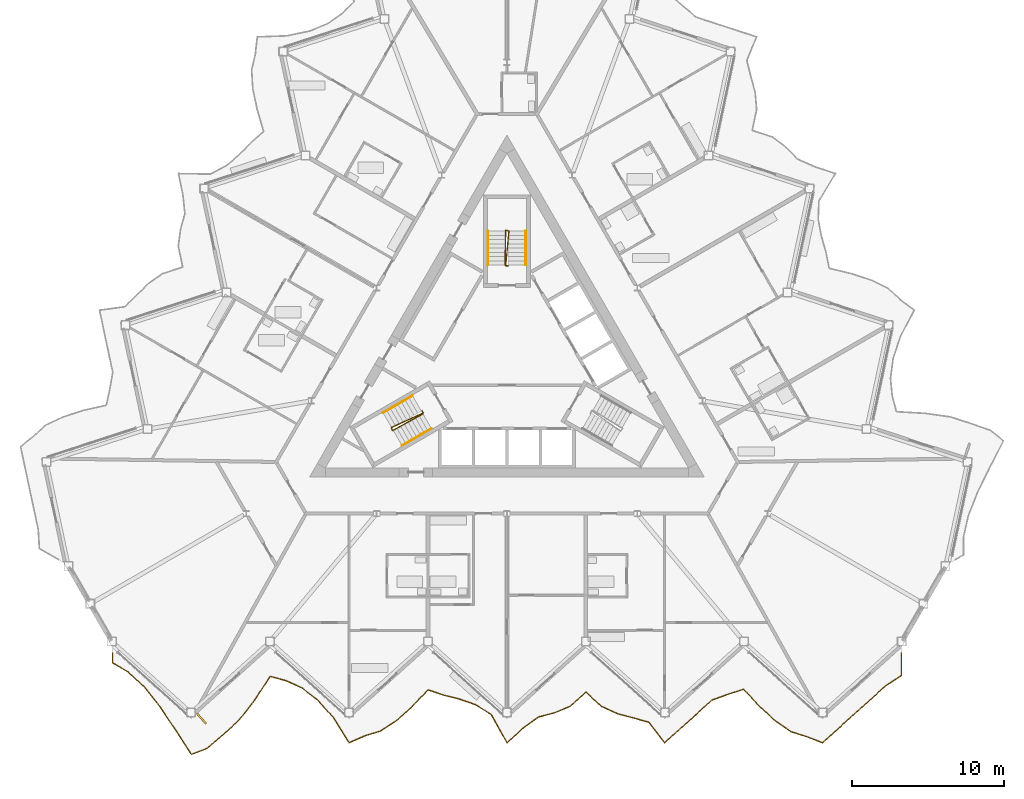
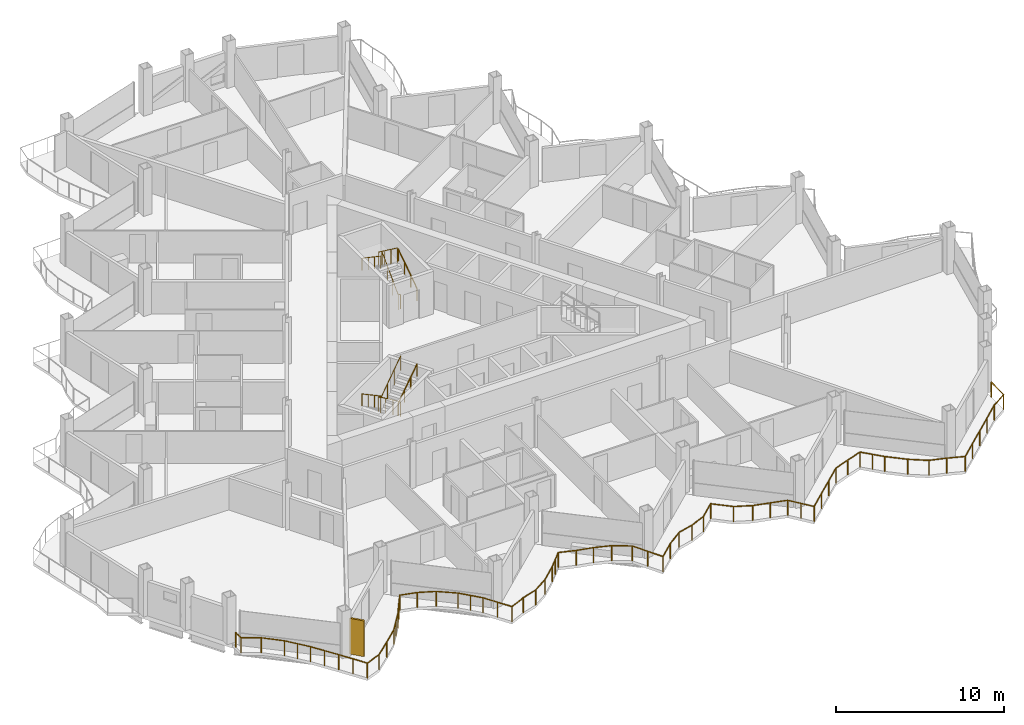
# One storey, part 22 of 26: 7 railings, 1 shading device.
"""IFC4 building model written with IfcOpenShell, lengths in metres."""

from ifc_helpers import new_model, si_unit, direction, frame, origin, origin_2d, place, context, subcontext, project, spatial, rectangle, circle, extrude, material, layer, layer_set, type_object, element, save


model = new_model("IFC4")

# Units and contexts
model_context = context("Model", 3, precision=1e-05, world=origin(), true_north=direction((0.0, 1.0)))
body_context = subcontext(model_context, "Body", "Model", "MODEL_VIEW")
ifc_project = project(units=[si_unit("LENGTHUNIT", "METRE"), si_unit("AREAUNIT", "SQUARE_METRE"), si_unit("VOLUMEUNIT", "CUBIC_METRE"), si_unit("PLANEANGLEUNIT", "RADIAN"), si_unit("MASSUNIT", "GRAM", prefix="KILO")], contexts=[model_context])

# Site, building, storey
site_placement = place(None, origin())
site = spatial("IfcSite", under=ifc_project, at=site_placement, CompositionType="ELEMENT")
building_placement = place(site_placement, origin())
building = spatial("IfcBuilding", under=site, at=building_placement, Name="Cormorant Prow Tower", CompositionType="ELEMENT")
storey_placement = place(building_placement, frame((0.0, 0.0, 325.60009765625)))
storey = spatial("IfcBuildingStorey", under=building, at=storey_placement, Name="L72", CompositionType="ELEMENT", Elevation=325.60009765625)

# Railings
ifc_material_1 = material(Name="Aluminium 6063-T6", Category="aluminium")
railing_type_1 = type_object("IfcRailingType", Name="Balcony guard 1100", PredefinedType="GUARDRAIL", material=ifc_material_1)
railing_1_placement = place(storey_placement, frame((-25.973388671875, -19.09814453125, 0.0)))
element("IfcRailing", 1, at=railing_1_placement, inside=storey, type_object=railing_type_1, Name="Balcony guard S", PredefinedType="GUARDRAIL", context=body_context, shape_type="SweptSolid", body=[
    extrude(circle(Radius=0.02392578125, at=origin_2d()), frame((0.0, 0.0, 1.076171875), z_axis=(0.0, -1.0, 0.0), x_axis=(1.0, 0.0, 0.0)), (0.0, 0.0, 1.0), 0.635986328125),
    extrude(circle(Radius=0.02392578125, at=origin_2d()), frame((0.0, -0.635986328125, 1.076171875), z_axis=(0.864404526024, -0.502796992223, 0.0), x_axis=(0.502796992223, 0.864404526024, 0.0)), (0.0, 0.0, 1.0), 1.20166015625),
    extrude(circle(Radius=0.02392578125, at=origin_2d()), frame((1.038818359375, -1.240234375, 1.076171875), z_axis=(0.734082243463, -0.679060571549, 0.0), x_axis=(0.679060571549, 0.734082243463, 0.0)), (0.0, 0.0, 1.0), 1.41552734375),
    extrude(circle(Radius=0.02392578125, at=origin_2d()), frame((2.077880859375, -2.201416015625, 1.076171875), z_axis=(0.621039347423, -0.783779387935, 0.0), x_axis=(0.783779387935, 0.621039347423, 0.0)), (0.0, 0.0, 1.0), 1.672607421875),
    extrude(circle(Radius=0.02392578125, at=origin_2d()), frame((3.11669921875, -3.512451171875, 1.076171875), z_axis=(0.55672153473, -0.830699183079, 0.0), x_axis=(0.830699183079, 0.55672153473, 0.0)), (0.0, 0.0, 1.0), 1.865966796875),
    extrude(circle(Radius=0.02392578125, at=origin_2d()), frame((4.155517578125, -5.0625, 1.076171875), z_axis=(0.542579782654, -0.840004273474, 0.0), x_axis=(0.840004273474, 0.542579782654, 0.0)), (0.0, 0.0, 1.0), 1.9150390625),
    extrude(circle(Radius=0.02392578125, at=origin_2d()), frame((5.194580078125, -6.671142578125, 1.076171875), z_axis=(0.932796459429, 0.360403614407, 0.0), x_axis=(-0.360403614407, 0.932796459429, 0.0)), (0.0, 0.0, 1.0), 1.11376953125),
    extrude(circle(Radius=0.02392578125, at=origin_2d()), frame((6.2333984375, -6.269775390625, 1.076171875), z_axis=(0.758287360731, 0.651920454162, 0.0), x_axis=(-0.651920454162, 0.758287360731, 0.0)), (0.0, 0.0, 1.0), 1.370361328125),
    extrude(circle(Radius=0.02392578125, at=origin_2d()), frame((7.2724609375, -5.37646484375, 1.076171875), z_axis=(0.743077017914, 0.669205906615, 0.0), x_axis=(-0.669205906615, 0.743077017914, 0.0)), (0.0, 0.0, 1.0), 1.39794921875),
    extrude(circle(Radius=0.02392578125, at=origin_2d()), frame((8.311279296875, -4.44091796875, 1.076171875), z_axis=(0.617097688735, 0.786886549992, 0.0), x_axis=(-0.786886549992, 0.617097688735, 0.0)), (0.0, 0.0, 1.0), 1.683837890625),
    extrude(circle(Radius=0.02392578125, at=origin_2d()), frame((9.350341796875, -3.115966796875, 1.076171875), z_axis=(0.547908224323, 0.836538449636, 0.0), x_axis=(-0.836538449636, 0.547908224323, 0.0)), (0.0, 0.0, 1.0), 1.896484375),
    extrude(circle(Radius=0.02392578125, at=origin_2d()), frame((10.389404296875, -1.529541015625, 1.076171875), z_axis=(0.96507717887, -0.261965720704, 0.0), x_axis=(0.261965720704, 0.96507717887, 0.0)), (0.0, 0.0, 1.0), 1.076416015625),
    extrude(circle(Radius=0.02392578125, at=origin_2d()), frame((11.42822265625, -1.8115234375, 1.076171875), z_axis=(0.910813015189, -0.412819150916, 0.0), x_axis=(0.412819150916, 0.910813015189, 0.0)), (0.0, 0.0, 1.0), 1.140869140625),
    extrude(circle(Radius=0.02392578125, at=origin_2d()), frame((12.46728515625, -2.282470703125, 1.076171875), z_axis=(0.793441260046, -0.608646832618, 0.0), x_axis=(0.608646832618, 0.793441260046, 0.0)), (0.0, 0.0, 1.0), 1.309326171875),
    extrude(circle(Radius=0.02392578125, at=origin_2d()), frame((13.506103515625, -3.079345703125, 1.076171875), z_axis=(0.666062428966, -0.745895998595, 0.0), x_axis=(0.745895998595, 0.666062428966, 0.0)), (0.0, 0.0, 1.0), 1.5595703125),
    extrude(circle(Radius=0.02392578125, at=origin_2d()), frame((14.544921875, -4.24267578125, 1.076171875), z_axis=(0.531772300644, -0.846887371655, 0.0), x_axis=(0.846887371655, 0.531772300644, 0.0)), (0.0, 0.0, 1.0), 1.953857421875),
    extrude(circle(Radius=0.02392578125, at=origin_2d()), frame((15.583984375, -5.8974609375, 1.076171875), z_axis=(0.915885416376, 0.401439788847, 0.0), x_axis=(-0.401439788847, 0.915885416376, 0.0)), (0.0, 0.0, 1.0), 1.13427734375),
    extrude(circle(Radius=0.02392578125, at=origin_2d()), frame((16.622802734375, -5.442138671875, 1.076171875), z_axis=(0.956630315258, 0.29130472006, 0.0), x_axis=(-0.29130472006, 0.956630315258, 0.0)), (0.0, 0.0, 1.0), 1.086181640625),
    extrude(circle(Radius=0.02392578125, at=origin_2d()), frame((17.661865234375, -5.125732421875, 1.076171875), z_axis=(0.834906973795, 0.550391083783, 0.0), x_axis=(-0.550391083783, 0.834906973795, 0.0)), (0.0, 0.0, 1.0), 1.244140625),
    extrude(circle(Radius=0.02392578125, at=origin_2d()), frame((18.70068359375, -4.44091796875, 1.076171875), z_axis=(0.743155211164, 0.669119071706, 0.0), x_axis=(-0.669119071706, 0.743155211164, 0.0)), (0.0, 0.0, 1.0), 1.398193359375),
    extrude(circle(Radius=0.02392578125, at=origin_2d()), frame((19.73974609375, -3.50537109375, 1.076171875), z_axis=(0.690691864093, 0.723149188533, 0.0), x_axis=(-0.723149188533, 0.690691864093, 0.0)), (0.0, 0.0, 1.0), 1.50439453125),
    extrude(circle(Radius=0.02392578125, at=origin_2d()), frame((20.77880859375, -2.41748046875, 1.076171875), z_axis=(0.947833420532, -0.318766069279, 0.0), x_axis=(0.318766069279, 0.947833420532, 0.0)), (0.0, 0.0, 1.0), 1.095947265625),
    extrude(circle(Radius=0.02392578125, at=origin_2d()), frame((21.817626953125, -2.766845703125, 1.076171875), z_axis=(0.970516923933, -0.241032986042, 0.0), x_axis=(0.241032986042, 0.970516923933, 0.0)), (0.0, 0.0, 1.0), 1.070556640625),
    extrude(circle(Radius=0.02392578125, at=origin_2d()), frame((22.856689453125, -3.02490234375, 1.076171875), z_axis=(0.94332138827, -0.331880638834, 0.0), x_axis=(0.331880638834, 0.94332138827, 0.0)), (0.0, 0.0, 1.0), 1.101318359375),
    extrude(circle(Radius=0.02392578125, at=origin_2d()), frame((23.8955078125, -3.390380859375, 1.076171875), z_axis=(0.851218522717, -0.524811420021, 0.0), x_axis=(0.524811420021, 0.851218522717, 0.0)), (0.0, 0.0, 1.0), 1.220703125),
    extrude(circle(Radius=0.02392578125, at=origin_2d()), frame((24.9345703125, -4.031005859375, 1.076171875), z_axis=(0.486322080627, -0.873779625475, 0.0), x_axis=(0.873779625475, 0.486322080627, 0.0)), (0.0, 0.0, 1.0), 2.135986328125),
    extrude(circle(Radius=0.02392578125, at=origin_2d()), frame((25.973388671875, -5.8974609375, 1.076171875), z_axis=(0.743077017914, 0.669205906615, 0.0), x_axis=(-0.669205906615, 0.743077017914, 0.0)), (0.0, 0.0, 1.0), 1.39794921875),
    extrude(circle(Radius=0.02392578125, at=origin_2d()), frame((27.01220703125, -4.9619140625, 1.076171875), z_axis=(0.807314654695, 0.590121214933, 0.0), x_axis=(-0.590121214933, 0.807314654695, 0.0)), (0.0, 0.0, 1.0), 1.287109375),
    extrude(circle(Radius=0.02392578125, at=origin_2d()), frame((28.05126953125, -4.202392578125, 1.076171875), z_axis=(0.968225799112, 0.250077591827, 0.0), x_axis=(-0.250077591827, 0.968225799112, 0.0)), (0.0, 0.0, 1.0), 1.072998046875),
    extrude(circle(Radius=0.02392578125, at=origin_2d()), frame((29.090087890625, -3.93408203125, 1.076171875), z_axis=(0.924407971279, 0.381405168601, 0.0), x_axis=(-0.381405168601, 0.924407971279, 0.0)), (0.0, 0.0, 1.0), 1.1240234375),
    extrude(circle(Radius=0.02392578125, at=origin_2d()), frame((30.129150390625, -3.50537109375, 1.076171875), z_axis=(0.743163863414, 0.669109461983, 0.0), x_axis=(-0.669109461983, 0.743163863414, 0.0)), (0.0, 0.0, 1.0), 1.39794921875),
    extrude(circle(Radius=0.02392578125, at=origin_2d()), frame((31.16796875, -2.570068359375, 1.076171875), z_axis=(0.74324204326, -0.669022619297, 0.0), x_axis=(0.669022619297, 0.74324204326, 0.0)), (0.0, 0.0, 1.0), 1.39794921875),
    extrude(circle(Radius=0.02392578125, at=origin_2d()), frame((32.20703125, -3.50537109375, 1.076171875), z_axis=(0.907659539898, -0.419707230855, 0.0), x_axis=(0.419707230855, 0.907659539898, 0.0)), (0.0, 0.0, 1.0), 1.144775390625),
    extrude(circle(Radius=0.02392578125, at=origin_2d()), frame((33.24609375, -3.98583984375, 1.076171875), z_axis=(0.966835704912, -0.255399138031, 0.0), x_axis=(0.255399138031, 0.966835704912, 0.0)), (0.0, 0.0, 1.0), 1.074462890625),
    extrude(circle(Radius=0.02392578125, at=origin_2d()), frame((34.284912109375, -4.26025390625, 1.076171875), z_axis=(0.962296538374, -0.272002522477, 0.0), x_axis=(0.272002522477, 0.962296538374, 0.0)), (0.0, 0.0, 1.0), 1.079833984375),
    extrude(circle(Radius=0.02392578125, at=origin_2d()), frame((35.323974609375, -4.553955078125, 1.076171875), z_axis=(0.611688866478, -0.791098432957, 0.0), x_axis=(0.791098432957, 0.611688866478, 0.0)), (0.0, 0.0, 1.0), 1.6982421875),
    extrude(circle(Radius=0.02392578125, at=origin_2d()), frame((36.36279296875, -5.8974609375, 1.076171875), z_axis=(0.743155211164, 0.669119071706, 0.0), x_axis=(-0.669119071706, 0.743155211164, 0.0)), (0.0, 0.0, 1.0), 1.398193359375),
    extrude(circle(Radius=0.02392578125, at=origin_2d()), frame((37.40185546875, -4.9619140625, 1.076171875), z_axis=(0.743077017914, 0.669205906615, 0.0), x_axis=(-0.669205906615, 0.743077017914, 0.0)), (0.0, 0.0, 1.0), 1.39794921875),
    extrude(circle(Radius=0.02392578125, at=origin_2d()), frame((38.440673828125, -4.0263671875, 1.076171875), z_axis=(0.743163863414, 0.669109461983, 0.0), x_axis=(-0.669109461983, 0.743163863414, 0.0)), (0.0, 0.0, 1.0), 1.39794921875),
    extrude(circle(Radius=0.02392578125, at=origin_2d()), frame((39.4794921875, -3.091064453125, 1.076171875), z_axis=(0.938985609291, 0.343956429719, 0.0), x_axis=(-0.343956429719, 0.938985609291, 0.0)), (0.0, 0.0, 1.0), 1.106689453125),
    extrude(circle(Radius=0.02392578125, at=origin_2d()), frame((40.5185546875, -2.71044921875, 1.076171875), z_axis=(0.951942396595, 0.306277118905, 0.0), x_axis=(-0.306277118905, 0.951942396595, 0.0)), (0.0, 0.0, 1.0), 1.09130859375),
    extrude(circle(Radius=0.02392578125, at=origin_2d()), frame((41.557373046875, -2.376220703125, 1.076171875), z_axis=(0.677142695524, -0.735851730921, 0.0), x_axis=(0.735851730921, 0.677142695524, 0.0)), (0.0, 0.0, 1.0), 1.534423828125),
    extrude(circle(Radius=0.02392578125, at=origin_2d()), frame((42.596435546875, -3.50537109375, 1.076171875), z_axis=(0.743155211164, -0.669119071706, 0.0), x_axis=(0.669119071706, 0.743155211164, 0.0)), (0.0, 0.0, 1.0), 1.398193359375),
    extrude(circle(Radius=0.02392578125, at=origin_2d()), frame((43.635498046875, -4.44091796875, 1.076171875), z_axis=(0.818734427702, -0.574172393011, 0.0), x_axis=(0.574172393011, 0.818734427702, 0.0)), (0.0, 0.0, 1.0), 1.268798828125),
    extrude(circle(Radius=0.02392578125, at=origin_2d()), frame((44.67431640625, -5.16943359375, 1.076171875), z_axis=(0.95313144312, -0.302556527175, 0.0), x_axis=(0.302556527175, 0.95313144312, 0.0)), (0.0, 0.0, 1.0), 1.090087890625),
    extrude(circle(Radius=0.02392578125, at=origin_2d()), frame((45.71337890625, -5.499267578125, 1.076171875), z_axis=(0.93375222919, -0.35792006717, 0.0), x_axis=(0.35792006717, 0.93375222919, 0.0)), (0.0, 0.0, 1.0), 1.112548828125),
    extrude(circle(Radius=0.02392578125, at=origin_2d()), frame((46.752197265625, -5.8974609375, 1.076171875), z_axis=(0.743155211164, 0.669119071706, 0.0), x_axis=(-0.669119071706, 0.743155211164, 0.0)), (0.0, 0.0, 1.0), 1.398193359375),
    extrude(circle(Radius=0.02392578125, at=origin_2d()), frame((47.791259765625, -4.9619140625, 1.076171875), z_axis=(0.743077017914, 0.669205906615, 0.0), x_axis=(-0.669205906615, 0.743077017914, 0.0)), (0.0, 0.0, 1.0), 1.39794921875),
    extrude(circle(Radius=0.02392578125, at=origin_2d()), frame((48.830078125, -4.0263671875, 1.076171875), z_axis=(0.743163863414, 0.669109461983, 0.0), x_axis=(-0.669109461983, 0.743163863414, 0.0)), (0.0, 0.0, 1.0), 1.39794921875),
    extrude(circle(Radius=0.02392578125, at=origin_2d()), frame((49.868896484375, -3.091064453125, 1.076171875), z_axis=(0.743155211164, 0.669119071706, 0.0), x_axis=(-0.669119071706, 0.743155211164, 0.0)), (0.0, 0.0, 1.0), 1.398193359375),
    extrude(circle(Radius=0.02392578125, at=origin_2d()), frame((50.907958984375, -2.155517578125, 1.076171875), z_axis=(0.835267618493, 0.54984361913, 0.0), x_axis=(-0.54984361913, 0.835267618493, 0.0)), (0.0, 0.0, 1.0), 1.24365234375),
    extrude(circle(Radius=0.02392578125, at=origin_2d()), frame((51.94677734375, -1.4716796875, 1.076171875), z_axis=(0.0, 1.0, 0.0), x_axis=(-1.0, 0.0, 0.0)), (0.0, 0.0, 1.0), 1.4716796875),
    extrude(circle(Radius=0.02099609375, at=origin_2d()), origin(), (0.0, 0.0, 1.0), 1.052001953125),
    extrude(circle(Radius=0.02099609375, at=origin_2d()), frame((0.0, -0.635986328125, 0.0)), (0.0, 0.0, 1.0), 1.052001953125),
    extrude(circle(Radius=0.02099609375, at=origin_2d()), frame((1.038818359375, -1.240234375, 0.0)), (0.0, 0.0, 1.0), 1.052001953125),
    extrude(circle(Radius=0.02099609375, at=origin_2d()), frame((2.077880859375, -2.201416015625, 0.0)), (0.0, 0.0, 1.0), 1.052001953125),
    extrude(circle(Radius=0.02099609375, at=origin_2d()), frame((2.59716796875, -2.85693359375, 0.0)), (0.0, 0.0, 1.0), 1.052001953125),
    extrude(circle(Radius=0.02099609375, at=origin_2d()), frame((3.11669921875, -3.512451171875, 0.0)), (0.0, 0.0, 1.0), 1.052001953125),
    extrude(circle(Radius=0.02099609375, at=origin_2d()), frame((3.63623046875, -4.28759765625, 0.0)), (0.0, 0.0, 1.0), 1.052001953125),
    extrude(circle(Radius=0.02099609375, at=origin_2d()), frame((4.155517578125, -5.0625, 0.0)), (0.0, 0.0, 1.0), 1.052001953125),
    extrude(circle(Radius=0.02099609375, at=origin_2d()), frame((4.675048828125, -5.86669921875, 0.0)), (0.0, 0.0, 1.0), 1.052001953125),
    extrude(circle(Radius=0.02099609375, at=origin_2d()), frame((5.194580078125, -6.671142578125, 0.0)), (0.0, 0.0, 1.0), 1.052001953125),
    extrude(circle(Radius=0.02099609375, at=origin_2d()), frame((6.2333984375, -6.269775390625, 0.0)), (0.0, 0.0, 1.0), 1.052001953125),
    extrude(circle(Radius=0.02099609375, at=origin_2d()), frame((7.2724609375, -5.37646484375, 0.0)), (0.0, 0.0, 1.0), 1.052001953125),
    extrude(circle(Radius=0.02099609375, at=origin_2d()), frame((8.311279296875, -4.44091796875, 0.0)), (0.0, 0.0, 1.0), 1.052001953125),
    extrude(circle(Radius=0.02099609375, at=origin_2d()), frame((8.830810546875, -3.7783203125, 0.0)), (0.0, 0.0, 1.0), 1.052001953125),
    extrude(circle(Radius=0.02099609375, at=origin_2d()), frame((9.350341796875, -3.115966796875, 0.0)), (0.0, 0.0, 1.0), 1.052001953125),
    extrude(circle(Radius=0.02099609375, at=origin_2d()), frame((9.869873046875, -2.32275390625, 0.0)), (0.0, 0.0, 1.0), 1.052001953125),
    extrude(circle(Radius=0.02099609375, at=origin_2d()), frame((10.389404296875, -1.529541015625, 0.0)), (0.0, 0.0, 1.0), 1.052001953125),
    extrude(circle(Radius=0.02099609375, at=origin_2d()), frame((11.42822265625, -1.8115234375, 0.0)), (0.0, 0.0, 1.0), 1.052001953125),
    extrude(circle(Radius=0.02099609375, at=origin_2d()), frame((12.46728515625, -2.282470703125, 0.0)), (0.0, 0.0, 1.0), 1.052001953125),
    extrude(circle(Radius=0.02099609375, at=origin_2d()), frame((13.506103515625, -3.079345703125, 0.0)), (0.0, 0.0, 1.0), 1.052001953125),
    extrude(circle(Radius=0.02099609375, at=origin_2d()), frame((14.025390625, -3.6611328125, 0.0)), (0.0, 0.0, 1.0), 1.052001953125),
    extrude(circle(Radius=0.02099609375, at=origin_2d()), frame((14.544921875, -4.24267578125, 0.0)), (0.0, 0.0, 1.0), 1.052001953125),
    extrude(circle(Radius=0.02099609375, at=origin_2d()), frame((15.064453125, -5.070068359375, 0.0)), (0.0, 0.0, 1.0), 1.052001953125),
    extrude(circle(Radius=0.02099609375, at=origin_2d()), frame((15.583984375, -5.8974609375, 0.0)), (0.0, 0.0, 1.0), 1.052001953125),
    extrude(circle(Radius=0.02099609375, at=origin_2d()), frame((16.622802734375, -5.442138671875, 0.0)), (0.0, 0.0, 1.0), 1.052001953125),
    extrude(circle(Radius=0.02099609375, at=origin_2d()), frame((17.661865234375, -5.125732421875, 0.0)), (0.0, 0.0, 1.0), 1.052001953125),
    extrude(circle(Radius=0.02099609375, at=origin_2d()), frame((18.70068359375, -4.44091796875, 0.0)), (0.0, 0.0, 1.0), 1.052001953125),
    extrude(circle(Radius=0.02099609375, at=origin_2d()), frame((19.73974609375, -3.50537109375, 0.0)), (0.0, 0.0, 1.0), 1.052001953125),
    extrude(circle(Radius=0.02099609375, at=origin_2d()), frame((20.25927734375, -2.96142578125, 0.0)), (0.0, 0.0, 1.0), 1.052001953125),
    extrude(circle(Radius=0.02099609375, at=origin_2d()), frame((20.77880859375, -2.41748046875, 0.0)), (0.0, 0.0, 1.0), 1.052001953125),
    extrude(circle(Radius=0.02099609375, at=origin_2d()), frame((21.817626953125, -2.766845703125, 0.0)), (0.0, 0.0, 1.0), 1.052001953125),
    extrude(circle(Radius=0.02099609375, at=origin_2d()), frame((22.856689453125, -3.02490234375, 0.0)), (0.0, 0.0, 1.0), 1.052001953125),
    extrude(circle(Radius=0.02099609375, at=origin_2d()), frame((23.8955078125, -3.390380859375, 0.0)), (0.0, 0.0, 1.0), 1.052001953125),
    extrude(circle(Radius=0.02099609375, at=origin_2d()), frame((24.9345703125, -4.031005859375, 0.0)), (0.0, 0.0, 1.0), 1.052001953125),
    extrude(circle(Radius=0.02099609375, at=origin_2d()), frame((25.4541015625, -4.96435546875, 0.0)), (0.0, 0.0, 1.0), 1.052001953125),
    extrude(circle(Radius=0.02099609375, at=origin_2d()), frame((25.973388671875, -5.8974609375, 0.0)), (0.0, 0.0, 1.0), 1.052001953125),
    extrude(circle(Radius=0.02099609375, at=origin_2d()), frame((27.01220703125, -4.9619140625, 0.0)), (0.0, 0.0, 1.0), 1.052001953125),
    extrude(circle(Radius=0.02099609375, at=origin_2d()), frame((28.05126953125, -4.202392578125, 0.0)), (0.0, 0.0, 1.0), 1.052001953125),
    extrude(circle(Radius=0.02099609375, at=origin_2d()), frame((29.090087890625, -3.93408203125, 0.0)), (0.0, 0.0, 1.0), 1.052001953125),
    extrude(circle(Radius=0.02099609375, at=origin_2d()), frame((30.129150390625, -3.50537109375, 0.0)), (0.0, 0.0, 1.0), 1.052001953125),
    extrude(circle(Radius=0.02099609375, at=origin_2d()), frame((31.16796875, -2.570068359375, 0.0)), (0.0, 0.0, 1.0), 1.052001953125),
    extrude(circle(Radius=0.02099609375, at=origin_2d()), frame((32.20703125, -3.50537109375, 0.0)), (0.0, 0.0, 1.0), 1.052001953125),
    extrude(circle(Radius=0.02099609375, at=origin_2d()), frame((33.24609375, -3.98583984375, 0.0)), (0.0, 0.0, 1.0), 1.052001953125),
    extrude(circle(Radius=0.02099609375, at=origin_2d()), frame((34.284912109375, -4.26025390625, 0.0)), (0.0, 0.0, 1.0), 1.052001953125),
    extrude(circle(Radius=0.02099609375, at=origin_2d()), frame((35.323974609375, -4.553955078125, 0.0)), (0.0, 0.0, 1.0), 1.052001953125),
    extrude(circle(Radius=0.02099609375, at=origin_2d()), frame((35.84326171875, -5.2255859375, 0.0)), (0.0, 0.0, 1.0), 1.052001953125),
    extrude(circle(Radius=0.02099609375, at=origin_2d()), frame((36.36279296875, -5.8974609375, 0.0)), (0.0, 0.0, 1.0), 1.052001953125),
    extrude(circle(Radius=0.02099609375, at=origin_2d()), frame((37.40185546875, -4.9619140625, 0.0)), (0.0, 0.0, 1.0), 1.052001953125),
    extrude(circle(Radius=0.02099609375, at=origin_2d()), frame((38.440673828125, -4.0263671875, 0.0)), (0.0, 0.0, 1.0), 1.052001953125),
    extrude(circle(Radius=0.02099609375, at=origin_2d()), frame((39.4794921875, -3.091064453125, 0.0)), (0.0, 0.0, 1.0), 1.052001953125),
    extrude(circle(Radius=0.02099609375, at=origin_2d()), frame((40.5185546875, -2.71044921875, 0.0)), (0.0, 0.0, 1.0), 1.052001953125),
    extrude(circle(Radius=0.02099609375, at=origin_2d()), frame((41.557373046875, -2.376220703125, 0.0)), (0.0, 0.0, 1.0), 1.052001953125),
    extrude(circle(Radius=0.02099609375, at=origin_2d()), frame((42.076904296875, -2.94091796875, 0.0)), (0.0, 0.0, 1.0), 1.052001953125),
    extrude(circle(Radius=0.02099609375, at=origin_2d()), frame((42.596435546875, -3.50537109375, 0.0)), (0.0, 0.0, 1.0), 1.052001953125),
    extrude(circle(Radius=0.02099609375, at=origin_2d()), frame((43.635498046875, -4.44091796875, 0.0)), (0.0, 0.0, 1.0), 1.052001953125),
    extrude(circle(Radius=0.02099609375, at=origin_2d()), frame((44.67431640625, -5.16943359375, 0.0)), (0.0, 0.0, 1.0), 1.052001953125),
    extrude(circle(Radius=0.02099609375, at=origin_2d()), frame((45.71337890625, -5.499267578125, 0.0)), (0.0, 0.0, 1.0), 1.052001953125),
    extrude(circle(Radius=0.02099609375, at=origin_2d()), frame((46.752197265625, -5.8974609375, 0.0)), (0.0, 0.0, 1.0), 1.052001953125),
    extrude(circle(Radius=0.02099609375, at=origin_2d()), frame((47.791259765625, -4.9619140625, 0.0)), (0.0, 0.0, 1.0), 1.052001953125),
    extrude(circle(Radius=0.02099609375, at=origin_2d()), frame((48.830078125, -4.0263671875, 0.0)), (0.0, 0.0, 1.0), 1.052001953125),
    extrude(circle(Radius=0.02099609375, at=origin_2d()), frame((49.868896484375, -3.091064453125, 0.0)), (0.0, 0.0, 1.0), 1.052001953125),
    extrude(circle(Radius=0.02099609375, at=origin_2d()), frame((50.907958984375, -2.155517578125, 0.0)), (0.0, 0.0, 1.0), 1.052001953125),
    extrude(circle(Radius=0.02099609375, at=origin_2d()), frame((51.94677734375, -1.4716796875, 0.0)), (0.0, 0.0, 1.0), 1.052001953125),
    extrude(circle(Radius=0.02099609375, at=origin_2d()), frame((51.94677734375, 0.0, 0.0)), (0.0, 0.0, 1.0), 1.052001953125),
])
ifc_material_2 = material(Name="Stainless steel", Category="steel")
railing_type_2 = type_object("IfcRailingType", Name="Stair guard 1100", PredefinedType="GUARDRAIL", material=ifc_material_2)
railing_2_placement = place(storey_placement, frame((-5.585205078125, -3.137939453125, 0.0)))
element("IfcRailing", 2, at=railing_2_placement, inside=storey, type_object=railing_type_2, Name="L72 ST1 stair guard 1", PredefinedType="GUARDRAIL", context=body_context, shape_type="SweptSolid", body=[
    extrude(circle(Radius=0.02392578125, at=origin_2d()), frame((0.0, 0.0, 1.076171875), z_axis=(0.501036270542, -0.865426285481, 0.0), x_axis=(0.865426285481, 0.501036270542, 0.0)), (0.0, 0.0, 1.0), 0.150146484375),
    extrude(circle(Radius=0.02392578125, at=origin_2d()), frame((0.0751953125, -0.1298828125, 1.076171875), z_axis=(-0.728641035543, -0.339941399566, 0.594577233152), x_axis=(0.422792438952, -0.906226546491, 0.0)), (0.0, 0.0, 1.0), 2.859130859375),
    extrude(circle(Radius=0.02392578125, at=origin_2d()), frame((-2.008056640625, -1.101806640625, 2.77587890625), z_axis=(0.275034262293, -0.961434425515, 0.0), x_axis=(0.961434425515, 0.275034262293, 0.0)), (0.0, 0.0, 1.0), 0.2060546875),
    extrude(circle(Radius=0.02392578125, at=origin_2d()), frame((-1.951416015625, -1.2998046875, 2.77587890625), z_axis=(0.704058451865, 0.386179398835, 0.595959032378), x_axis=(-0.480911908544, 0.87676891837, 0.0)), (0.0, 0.0, 1.0), 2.8525390625),
    extrude(circle(Radius=0.02099609375, at=origin_2d()), origin(), (0.0, 0.0, 1.0), 1.052001953125),
    extrude(circle(Radius=0.02099609375, at=origin_2d()), frame((0.0751953125, -0.1298828125, 0.0)), (0.0, 0.0, 1.0), 1.052001953125),
    extrude(circle(Radius=0.02099609375, at=origin_2d()), frame((-0.619140625, -0.453857421875, 0.566650390625)), (0.0, 0.0, 1.0), 1.052001953125),
    extrude(circle(Radius=0.02099609375, at=origin_2d()), frame((-1.313720703125, -0.77783203125, 1.13330078125)), (0.0, 0.0, 1.0), 1.052001953125),
    extrude(circle(Radius=0.02099609375, at=origin_2d()), frame((-2.008056640625, -1.101806640625, 1.699951171875)), (0.0, 0.0, 1.0), 1.052001953125),
    extrude(circle(Radius=0.02099609375, at=origin_2d()), frame((-1.951416015625, -1.2998046875, 1.699951171875)), (0.0, 0.0, 1.0), 1.052001953125),
    extrude(circle(Radius=0.02099609375, at=origin_2d()), frame((-1.281982421875, -0.9326171875, 2.2666015625)), (0.0, 0.0, 1.0), 1.052001953125),
    extrude(circle(Radius=0.02099609375, at=origin_2d()), frame((-0.612548828125, -0.5654296875, 2.833251953125)), (0.0, 0.0, 1.0), 1.052001953125),
    extrude(circle(Radius=0.02099609375, at=origin_2d()), frame((0.056884765625, -0.1982421875, 3.39990234375)), (0.0, 0.0, 1.0), 1.052001953125),
])
railing_3_placement = place(storey_placement, frame((0.074951171875, 6.40576171875, 0.0)))
element("IfcRailing", 3, at=railing_3_placement, inside=storey, type_object=railing_type_2, Name="L72 ST3 stair guard 1", PredefinedType="GUARDRAIL", context=body_context, shape_type="SweptSolid", body=[
    extrude(circle(Radius=0.02392578125, at=origin_2d()), frame((0.0, 0.0, 1.076171875), z_axis=(-1.0, 0.0, 0.0), x_axis=(0.0, -1.0, 0.0)), (0.0, 0.0, 1.0), 0.14990234375),
    extrude(circle(Radius=0.02392578125, at=origin_2d()), frame((-0.14990234375, 0.0, 1.076171875), z_axis=(0.069936542308, 0.800982621307, 0.594588698525), x_axis=(-0.996209839609, 0.086982500921, 0.0)), (0.0, 0.0, 1.0), 2.859130859375),
    extrude(circle(Radius=0.02392578125, at=origin_2d()), frame((0.050048828125, 2.2900390625, 2.77587890625), z_axis=(-0.970072785993, 0.242814311512, 0.0), x_axis=(-0.242814311512, -0.970072785993, 0.0)), (0.0, 0.0, 1.0), 0.2060546875),
    extrude(circle(Radius=0.02392578125, at=origin_2d()), frame((-0.14990234375, 2.340087890625, 2.77587890625), z_axis=(-0.017545750742, -0.80282508275, 0.595956402045), x_axis=(0.999761264773, -0.0218497931, 0.0)), (0.0, 0.0, 1.0), 2.8525390625),
    extrude(circle(Radius=0.02099609375, at=origin_2d()), origin(), (0.0, 0.0, 1.0), 1.052001953125),
    extrude(circle(Radius=0.02099609375, at=origin_2d()), frame((-0.14990234375, 0.0, 0.0)), (0.0, 0.0, 1.0), 1.052001953125),
    extrude(circle(Radius=0.02099609375, at=origin_2d()), frame((-0.083251953125, 0.763427734375, 0.566650390625)), (0.0, 0.0, 1.0), 1.052001953125),
    extrude(circle(Radius=0.02099609375, at=origin_2d()), frame((-0.0166015625, 1.526611328125, 1.13330078125)), (0.0, 0.0, 1.0), 1.052001953125),
    extrude(circle(Radius=0.02099609375, at=origin_2d()), frame((0.050048828125, 2.2900390625, 1.699951171875)), (0.0, 0.0, 1.0), 1.052001953125),
    extrude(circle(Radius=0.02099609375, at=origin_2d()), frame((-0.14990234375, 2.340087890625, 1.699951171875)), (0.0, 0.0, 1.0), 1.052001953125),
    extrude(circle(Radius=0.02099609375, at=origin_2d()), frame((-0.16650390625, 1.57666015625, 2.2666015625)), (0.0, 0.0, 1.0), 1.052001953125),
    extrude(circle(Radius=0.02099609375, at=origin_2d()), frame((-0.183349609375, 0.8134765625, 2.833251953125)), (0.0, 0.0, 1.0), 1.052001953125),
    extrude(circle(Radius=0.02099609375, at=origin_2d()), frame((-0.199951171875, 0.050048828125, 3.39990234375)), (0.0, 0.0, 1.0), 1.052001953125),
])
ifc_material_3 = material(Name="Stainless steel", Category="steel")
railing_type_3 = type_object("IfcRailingType", Name="Stair handrail 900", PredefinedType="HANDRAIL", material=ifc_material_3)
railing_4_placement = place(storey_placement, frame((-6.212890625, -2.150634765625, 0.188720703125)))
element("IfcRailing", 4, at=railing_4_placement, inside=storey, type_object=railing_type_3, Name="L72 ST1 stair handrail 1", PredefinedType="HANDRAIL", context=body_context, shape_type="SweptSolid", body=[
    extrude(circle(Radius=0.02392578125, at=origin_2d()), frame((0.0, 0.0, 0.8759765625), z_axis=(-0.717940317343, -0.414446543626, 0.55928147047), x_axis=(0.49994888933, -0.866054910533, 0.0)), (0.0, 0.0, 1.0), 2.7021484375),
    extrude(circle(Radius=0.02099609375, at=origin_2d()), origin(), (0.0, 0.0, 1.0), 0.851806640625),
    extrude(circle(Radius=0.02099609375, at=origin_2d()), frame((-0.646728515625, -0.373291015625, 0.503662109375)), (0.0, 0.0, 1.0), 0.851806640625),
    extrude(circle(Radius=0.02099609375, at=origin_2d()), frame((-1.293212890625, -0.74658203125, 1.007568359375)), (0.0, 0.0, 1.0), 0.851806640625),
    extrude(circle(Radius=0.02099609375, at=origin_2d()), frame((-1.93994140625, -1.119873046875, 1.51123046875)), (0.0, 0.0, 1.0), 0.851806640625),
])
railing_5_placement = place(storey_placement, frame((-6.90869140625, -5.42529296875, 1.888671875)))
element("IfcRailing", 5, at=railing_5_placement, inside=storey, type_object=railing_type_3, Name="L72 ST1 stair handrail 2", PredefinedType="HANDRAIL", context=body_context, shape_type="SweptSolid", body=[
    extrude(circle(Radius=0.02392578125, at=origin_2d()), frame((0.0, 0.0, 0.8759765625), z_axis=(0.717869644322, 0.414548260308, 0.559296802813), x_axis=(-0.500077830873, 0.865980463445, 0.0)), (0.0, 0.0, 1.0), 2.701904296875),
    extrude(circle(Radius=0.02099609375, at=origin_2d()), origin(), (0.0, 0.0, 1.0), 0.851806640625),
    extrude(circle(Radius=0.02099609375, at=origin_2d()), frame((0.646484375, 0.373291015625, 0.503662109375)), (0.0, 0.0, 1.0), 0.851806640625),
    extrude(circle(Radius=0.02099609375, at=origin_2d()), frame((1.293212890625, 0.746826171875, 1.007568359375)), (0.0, 0.0, 1.0), 0.851806640625),
    extrude(circle(Radius=0.02099609375, at=origin_2d()), frame((1.939697265625, 1.1201171875, 1.51123046875)), (0.0, 0.0, 1.0), 0.851806640625),
])
railing_6_placement = place(storey_placement, frame((1.243896484375, 6.455810546875, 0.188720703125)))
element("IfcRailing", 6, at=railing_6_placement, inside=storey, type_object=railing_type_3, Name="L72 ST3 stair handrail 1", PredefinedType="HANDRAIL", context=body_context, shape_type="SweptSolid", body=[
    extrude(circle(Radius=0.02392578125, at=origin_2d()), frame((0.0, 0.0, 0.8759765625), z_axis=(0.0, 0.828979582247, 0.559278868023), x_axis=(-1.0, 0.0, 0.0)), (0.0, 0.0, 1.0), 2.7021484375),
    extrude(circle(Radius=0.02099609375, at=origin_2d()), origin(), (0.0, 0.0, 1.0), 0.851806640625),
    extrude(circle(Radius=0.02099609375, at=origin_2d()), frame((0.0, 0.74658203125, 0.503662109375)), (0.0, 0.0, 1.0), 0.851806640625),
    extrude(circle(Radius=0.02099609375, at=origin_2d()), frame((0.0, 1.493408203125, 1.007568359375)), (0.0, 0.0, 1.0), 0.851806640625),
    extrude(circle(Radius=0.02099609375, at=origin_2d()), frame((0.0, 2.239990234375, 1.51123046875)), (0.0, 0.0, 1.0), 0.851806640625),
])
railing_7_placement = place(storey_placement, frame((-1.243896484375, 8.69580078125, 1.888671875)))
element("IfcRailing", 7, at=railing_7_placement, inside=storey, type_object=railing_type_3, Name="L72 ST3 stair handrail 2", PredefinedType="HANDRAIL", context=body_context, shape_type="SweptSolid", body=[
    extrude(circle(Radius=0.02392578125, at=origin_2d()), frame((0.0, 0.0, 0.8759765625), z_axis=(0.0, -0.828979582247, 0.559278868023), x_axis=(1.0, 0.0, 0.0)), (0.0, 0.0, 1.0), 2.7021484375),
    extrude(circle(Radius=0.02099609375, at=origin_2d()), origin(), (0.0, 0.0, 1.0), 0.851806640625),
    extrude(circle(Radius=0.02099609375, at=origin_2d()), frame((0.0, -0.74658203125, 0.503662109375)), (0.0, 0.0, 1.0), 0.851806640625),
    extrude(circle(Radius=0.02099609375, at=origin_2d()), frame((0.0, -1.493408203125, 1.007568359375)), (0.0, 0.0, 1.0), 0.851806640625),
    extrude(circle(Radius=0.02099609375, at=origin_2d()), frame((0.0, -2.239990234375, 1.51123046875)), (0.0, 0.0, 1.0), 0.851806640625),
])

# Shading device
ifc_material_4 = material(Name="Terracotta", Category="masonry")
ifc_layer = layer(ifc_material_4, 0.1201171875)
ifc_layer_set = layer_set([ifc_layer], Name="Terracotta")
shading_device_type = type_object("IfcShadingDeviceType", Name="Terracotta baguette fin 120x900x2600", PredefinedType="USERDEFINED", material=ifc_layer_set)
shading_device_placement = place(storey_placement, frame((-20.110595703125, -23.3994140625, -0.000244140625), z_axis=(0.0, 0.0, 1.0), x_axis=(0.74314478215, 0.669130654479, 0.0)))
element("IfcShadingDevice", 8, at=shading_device_placement, inside=storey, type_object=shading_device_type, Name="Baguette fin S01", ObjectType="BAGUETTE", PredefinedType="USERDEFINED", context=body_context, shape_type="SweptSolid", body=[
    extrude(rectangle(XDim=0.1201171875, YDim=0.89990234375, at=origin_2d()), origin(), (0.0, 0.0, 1.0), 2.60009765625),
])

save(model, "model.ifc")
